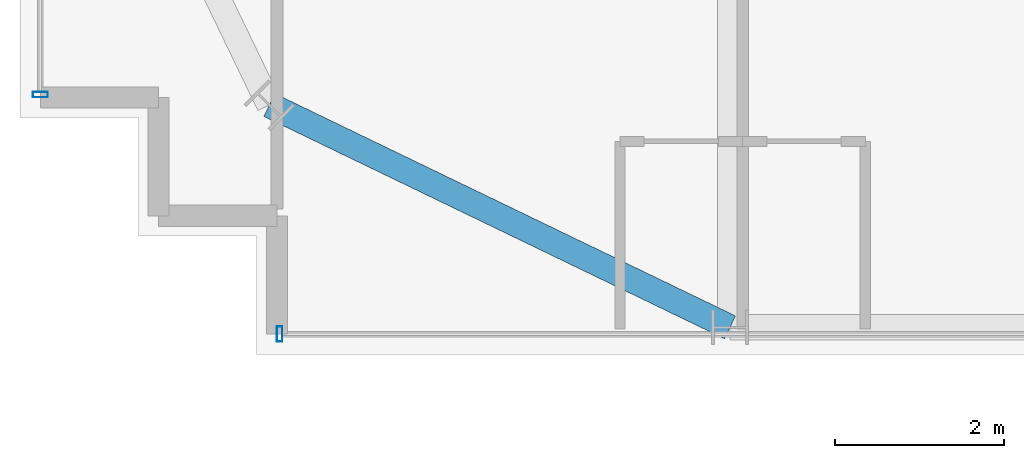
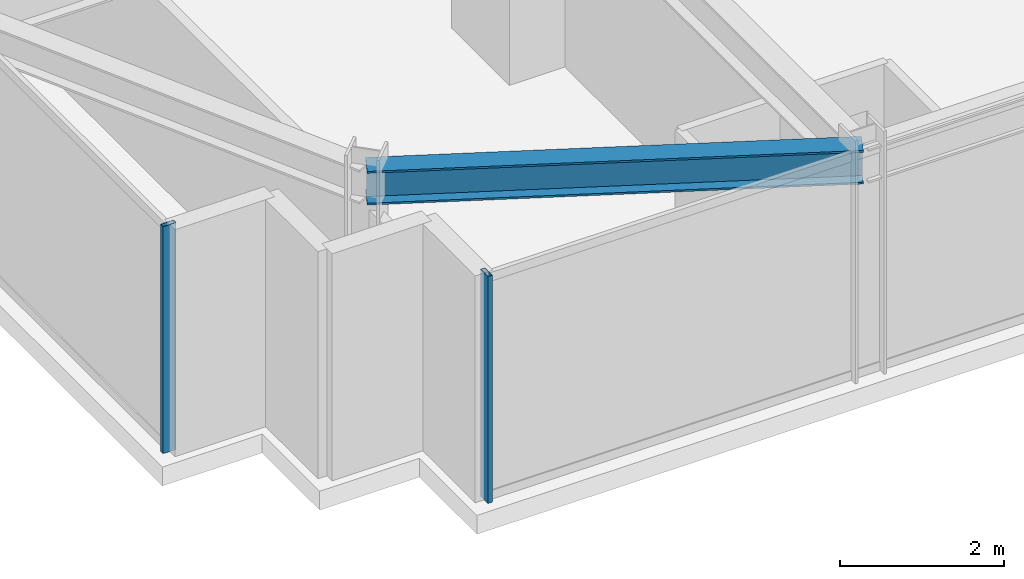
# One storey, part 3 of 36: 2 members, 1 beam, 2 elements without a shape of their own.
"""IFC4 building model written with IfcOpenShell, lengths in metres."""

from ifc_helpers import new_model, si_unit, direction, frame, origin, origin_2d, place, context, subcontext, project, spatial, hollow_rectangle, i_section, extrude, source, transform, mapped, material, material_profile, profile_set, type_object, element, aggregate, save


model = new_model("IFC4")

# Units and contexts
model_context = context("Model", 3, precision=1e-05, world=origin(), true_north=direction((0.0, 1.0)))
body_context = subcontext(model_context, "Body", "Model", "MODEL_VIEW")
ifc_project = project(units=[si_unit("LENGTHUNIT", "METRE"), si_unit("AREAUNIT", "SQUARE_METRE"), si_unit("VOLUMEUNIT", "CUBIC_METRE"), si_unit("PLANEANGLEUNIT", "RADIAN"), si_unit("MASSUNIT", "GRAM", prefix="KILO")], contexts=[model_context])

# Site, building, storey
site_placement = place(None, origin())
site = spatial("IfcSite", under=ifc_project, at=site_placement, CompositionType="ELEMENT")
building_placement = place(site_placement, origin())
building = spatial("IfcBuilding", under=site, at=building_placement, Name="Nahalor Promenade Grand Hotel", CompositionType="ELEMENT")
storey_placement = place(building_placement, frame((0.0, 0.0, 72.550048828125)))
storey = spatial("IfcBuildingStorey", under=building, at=storey_placement, Name="L17", CompositionType="ELEMENT", Elevation=72.550048828125)

# Beam
ifc_material_1 = material(Name="Steel S355JR", Category="steel")
ifc_material_profile_1 = material_profile(ifc_material_1, i_section(OverallWidth=0.3, OverallDepth=0.5, WebThickness=0.0145, FlangeThickness=0.028, at=origin_2d()), Name="HEB 500")
ifc_profile_set_1 = profile_set([ifc_material_profile_1], Name="Steel S355JR")
beam_type = type_object("IfcBeamType", Name="Beam-Spandrel-HEB500", PredefinedType="SPANDREL", material=ifc_profile_set_1)
shared_shape_1 = source(origin(), body_context, "Body", "SweptSolid", [
    extrude(i_section(OverallWidth=0.3, OverallDepth=0.5, WebThickness=0.0145, FlangeThickness=0.028, at=origin_2d()), origin(), (0.0, 0.0, 1.0), 6.051513671875),
])
beam_placement = place(storey_placement, frame((-17.0, -25.080078125, 3.119873046875), z_axis=(-0.900608818852, 0.434630596492, 0.0), x_axis=(-0.434630596492, -0.900608818852, 0.0)))
element("IfcBeam", 1, at=beam_placement, inside=storey, type_object=beam_type, Name="BM-L17-SPC-SW-1", PredefinedType="SPANDREL", context=body_context, shape_type="MappedRepresentation", body=[
    mapped(shared_shape_1, transform((0.0, 0.0, 0.0), scale=1.0)),
])

# Curtain wall, member
ifc_material_2 = material(Name="Anodised Bronze Aluminium EN AW-6063 T6", Category="aluminium")
curtain_wall_type = type_object("IfcCurtainWallType", Name="CW2 Typical Hotel Flush Bronze Unitised Curtain Wall", PredefinedType="USERDEFINED", material=ifc_material_2)
curtain_wall_1_placement = place(storey_placement, origin())
curtain_wall_1 = element("IfcCurtainWall", 2, at=curtain_wall_1_placement, inside=storey, type_object=curtain_wall_type, Name="L17 Curtain Wall CW-L17-S-1", ObjectType="UNITISED_CURTAIN_WALL", PredefinedType="USERDEFINED")
ifc_material_profile_2 = material_profile(ifc_material_2, hollow_rectangle(XDim=0.065, YDim=0.18, WallThickness=0.004, at=origin_2d()), Name="CWM 65x180x4")
ifc_profile_set_2 = profile_set([ifc_material_profile_2], Name="Anodised Bronze Aluminium EN AW-6063 T6")
member_type = type_object("IfcMemberType", Name="CWM2 Typical Bronze Mullion 65x180", PredefinedType="MULLION", material=ifc_profile_set_2)
shared_shape_2 = source(origin(), body_context, "Body", "SweptSolid", [
    extrude(hollow_rectangle(XDim=0.065, YDim=0.18, WallThickness=0.004, at=origin_2d()), origin(), (0.0, 0.0, 1.0), 3.369873046875),
])
member_1_placement = place(storey_placement, frame((-22.327392578125, -25.159912109375, 0.0), z_axis=(0.0, 0.0, 1.0), x_axis=(1.0, 0.0, 0.0)))
member_1 = element("IfcMember", 3, at=member_1_placement, type_object=member_type, Name="CW-L17-S-1 Mullion 0", PredefinedType="MULLION", context=body_context, shape_type="MappedRepresentation", body=[
    mapped(shared_shape_2, transform((0.0, 0.0, 0.0), scale=1.0)),
])
aggregate(curtain_wall_1, [member_1])

curtain_wall_2_placement = place(storey_placement, origin())
curtain_wall_2 = element("IfcCurtainWall", 4, at=curtain_wall_2_placement, inside=storey, type_object=curtain_wall_type, Name="L17 Curtain Wall CW-L17-W-1", ObjectType="UNITISED_CURTAIN_WALL", PredefinedType="USERDEFINED")
member_2_placement = place(storey_placement, frame((-25.159912109375, -22.327392578125, 0.0), z_axis=(0.0, 0.0, 1.0), x_axis=(0.0, 1.0, 0.0)))
member_2 = element("IfcMember", 5, at=member_2_placement, type_object=member_type, Name="CW-L17-W-1 Mullion 0", PredefinedType="MULLION", context=body_context, shape_type="MappedRepresentation", body=[
    mapped(shared_shape_2, transform((0.0, 0.0, 0.0), scale=1.0)),
])
aggregate(curtain_wall_2, [member_2])

save(model, "model.ifc")
